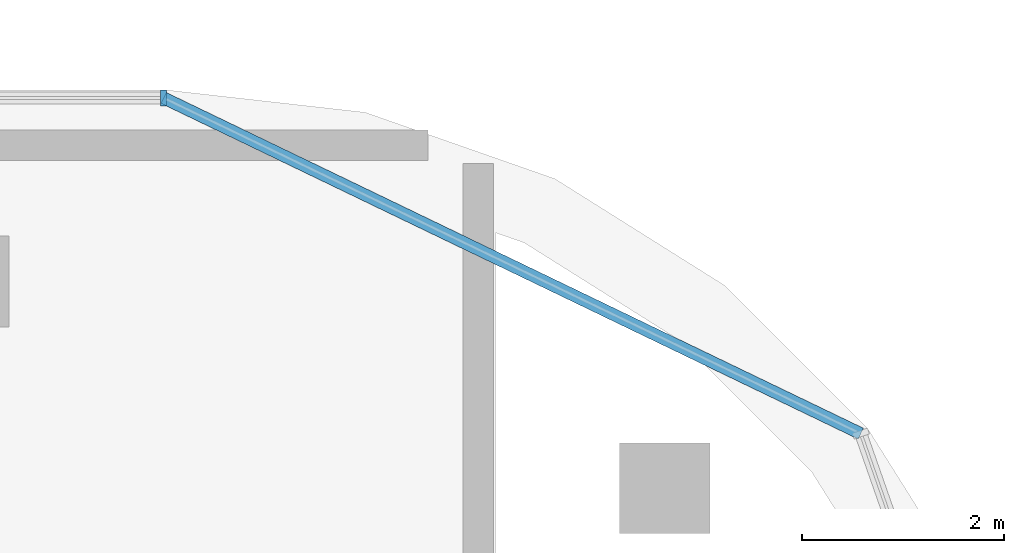
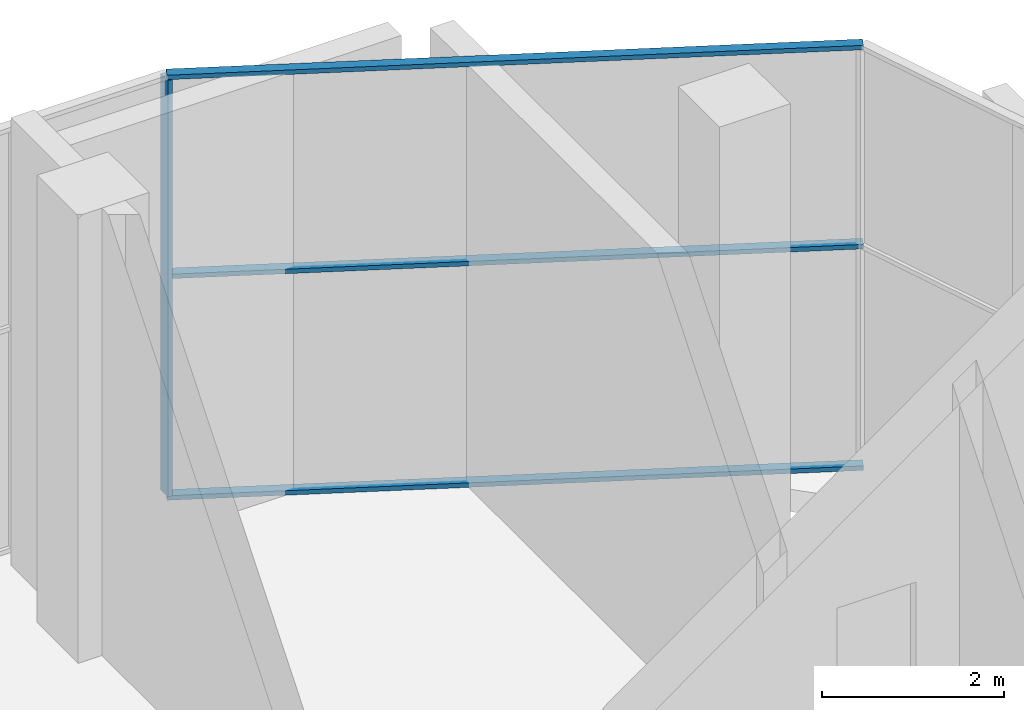
# One storey, part 9 of 19: 4 members, 2 elements without a shape of their own.
"""IFC4 building model written with IfcOpenShell, lengths in metres."""

from ifc_helpers import new_model, si_unit, direction, frame, origin, origin_2d, place, context, subcontext, project, spatial, rectangle, extrude, material, material_profile, profile_set, type_object, element, aggregate, save


model = new_model("IFC4")

# Units and contexts
model_context = context("Model", 3, precision=1e-05, world=origin(), true_north=direction((0.0, 1.0)))
body_context = subcontext(model_context, "Body", "Model", "MODEL_VIEW")
ifc_project = project(units=[si_unit("LENGTHUNIT", "METRE"), si_unit("AREAUNIT", "SQUARE_METRE"), si_unit("VOLUMEUNIT", "CUBIC_METRE"), si_unit("PLANEANGLEUNIT", "RADIAN"), si_unit("MASSUNIT", "GRAM", prefix="KILO")], contexts=[model_context])

# Site, building, storey
site_placement = place(None, origin())
site = spatial("IfcSite", under=ifc_project, at=site_placement, CompositionType="ELEMENT")
building_placement = place(site_placement, origin())
building = spatial("IfcBuilding", under=site, at=building_placement, Name="Ogive Portal Towers", CompositionType="ELEMENT")
storey_placement = place(building_placement, frame((0.0, 0.0, 254.89990234375)))
storey = spatial("IfcBuildingStorey", under=building, at=storey_placement, Name="L63", CompositionType="ELEMENT", Elevation=254.89990234375)

# Curtain wall, member
ifc_material_1 = material(Name="Glass, clear low-iron insulated glazing", Category="glass")
curtain_wall_type = type_object("IfcCurtainWallType", Name="CW OBSERVATION WALL", PredefinedType="NOTDEFINED", material=ifc_material_1)
curtain_wall_1_placement = place(storey_placement, origin())
curtain_wall_1 = element("IfcCurtainWall", 1, at=curtain_wall_1_placement, inside=storey, type_object=curtain_wall_type, Name="A:L63:f13:cw0", PredefinedType="NOTDEFINED")
ifc_material_2 = material(Name="Aluminium 6063 anodised", Category="aluminium")
ifc_material_profile_1 = material_profile(ifc_material_2, rectangle(XDim=0.159912109375, YDim=0.06005859375, at=origin_2d()), Name="AL 60x160")
ifc_profile_set_1 = profile_set([ifc_material_profile_1], Name="Aluminium 6063 anodised")
member_type_1 = type_object("IfcMemberType", Name="CW MULLION 60x160", PredefinedType="MULLION", material=ifc_profile_set_1)
member_1_placement = place(storey_placement, frame((87.481689453125, 41.320068359375, 0.06005859375), z_axis=(0.0, 0.0, 1.0), x_axis=(0.0, -1.0, 0.0)))
member_1 = element("IfcMember", 2, at=member_1_placement, type_object=member_type_1, Name="mullion", PredefinedType="MULLION", context=body_context, shape_type="SweptSolid", body=[
    extrude(rectangle(XDim=0.159912109375, YDim=0.06005859375, at=origin_2d()), origin(), (0.0, 0.0, 1.0), 5.580078125),
])
aggregate(curtain_wall_1, [member_1])

# Curtain wall, members
curtain_wall_2_placement = place(storey_placement, origin())
curtain_wall_2 = element("IfcCurtainWall", 3, at=curtain_wall_2_placement, inside=storey, type_object=curtain_wall_type, Name="A:L63:f11:cwa", PredefinedType="NOTDEFINED")
ifc_material_profile_2 = material_profile(ifc_material_2, rectangle(XDim=0.1201171875, YDim=0.06005859375, at=origin_2d()), Name="AL 120x60")
ifc_profile_set_2 = profile_set([ifc_material_profile_2], Name="Aluminium 6063 anodised")
member_type_2 = type_object("IfcMemberType", Name="CW TRANSOM 60x120", PredefinedType="USERDEFINED", material=ifc_profile_set_2)
member_2_placement = place(storey_placement, frame((94.393798828125, 37.991455078125, 0.030029296875), z_axis=(-0.900973105059, 0.433874940462, 0.0), x_axis=(-0.433874940462, -0.900973105059, 0.0)))
member_2 = element("IfcMember", 4, at=member_2_placement, type_object=member_type_2, Name="transom", ObjectType="TRANSOM", PredefinedType="USERDEFINED", context=body_context, shape_type="SweptSolid", body=[
    extrude(rectangle(XDim=0.1201171875, YDim=0.06005859375, at=origin_2d()), origin(), (0.0, 0.0, 1.0), 7.671875),
])
member_3_placement = place(storey_placement, frame((94.393798828125, 37.991455078125, 3.0), z_axis=(-0.900973105059, 0.433874940462, 0.0), x_axis=(-0.433874940462, -0.900973105059, 0.0)))
member_3 = element("IfcMember", 5, at=member_3_placement, type_object=member_type_2, Name="transom", ObjectType="TRANSOM", PredefinedType="USERDEFINED", context=body_context, shape_type="SweptSolid", body=[
    extrude(rectangle(XDim=0.1201171875, YDim=0.06005859375, at=origin_2d()), origin(), (0.0, 0.0, 1.0), 7.671875),
])
member_4_placement = place(storey_placement, frame((94.393798828125, 37.991455078125, 5.670166015625), z_axis=(-0.900973105059, 0.433874940462, 0.0), x_axis=(-0.433874940462, -0.900973105059, 0.0)))
member_4 = element("IfcMember", 6, at=member_4_placement, type_object=member_type_2, Name="transom", ObjectType="TRANSOM", PredefinedType="USERDEFINED", context=body_context, shape_type="SweptSolid", body=[
    extrude(rectangle(XDim=0.1201171875, YDim=0.06005859375, at=origin_2d()), origin(), (0.0, 0.0, 1.0), 7.671875),
])
aggregate(curtain_wall_2, [member_2, member_3, member_4])

save(model, "model.ifc")
